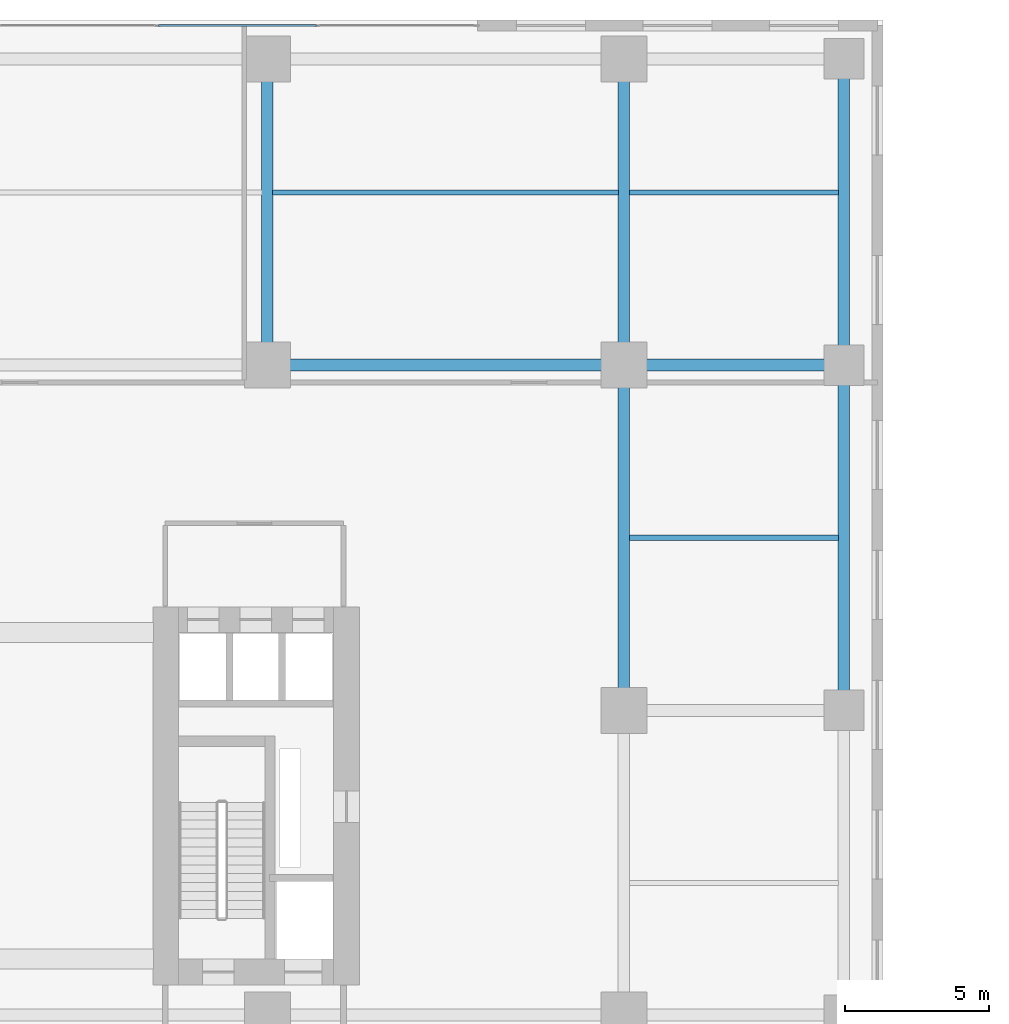
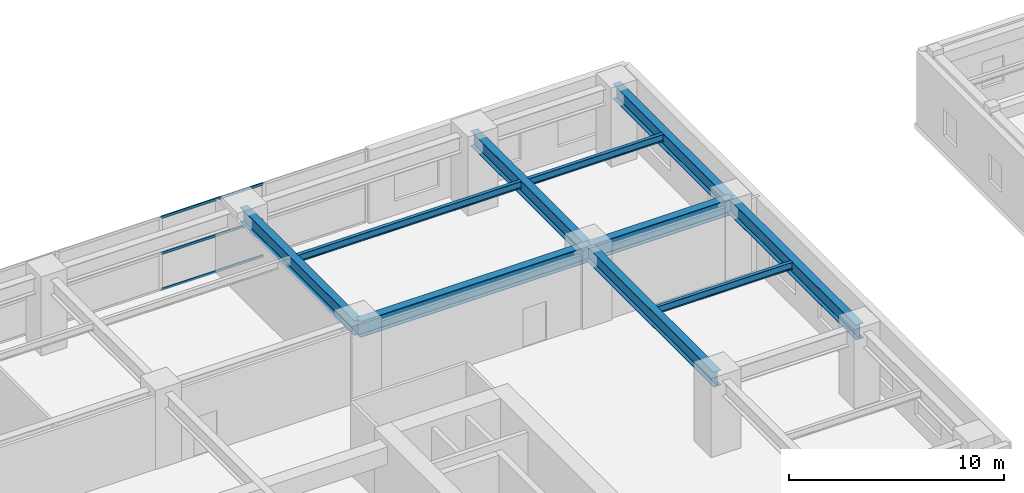
# One storey, part 7 of 26: 10 beams, 3 members, 1 element without a shape of its own.
"""IFC4 building model written with IfcOpenShell, lengths in metres."""

from ifc_helpers import new_model, si_unit, direction, frame, origin, origin_2d, place, context, subcontext, project, spatial, hollow_rectangle, i_section, extrude, source, transform, mapped, material, layer, layer_set, material_profile, profile_set, type_object, element, aggregate, save


model = new_model("IFC4")

# Units and contexts
model_context = context("Model", 3, precision=1e-05, world=origin(), true_north=direction((0.0, 1.0)))
body_context = subcontext(model_context, "Body", "Model", "MODEL_VIEW")
ifc_project = project(units=[si_unit("LENGTHUNIT", "METRE"), si_unit("AREAUNIT", "SQUARE_METRE"), si_unit("VOLUMEUNIT", "CUBIC_METRE"), si_unit("PLANEANGLEUNIT", "RADIAN"), si_unit("MASSUNIT", "GRAM", prefix="KILO")], contexts=[model_context])

# Site, building, storey
site_placement = place(None, origin())
site = spatial("IfcSite", under=ifc_project, at=site_placement, CompositionType="ELEMENT")
building_placement = place(site_placement, origin())
building = spatial("IfcBuilding", under=site, at=building_placement, Name="Khoralis Quay Care Tower", CompositionType="ELEMENT")
storey_placement = place(building_placement, frame((0.0, 0.0, 13.5)))
storey = spatial("IfcBuildingStorey", under=building, at=storey_placement, Name="L03", CompositionType="ELEMENT", Elevation=13.5)

# Beams
ifc_material_1 = material(Name="Steel S355", Category="steel")
ifc_material_profile_1 = material_profile(ifc_material_1, i_section(OverallWidth=0.41796875, OverallDepth=0.912109375, WebThickness=0.019287109375, FlangeThickness=0.031982421875, FilletRadius=0.02392578125, at=origin_2d()), Name="Steel S355")
ifc_profile_set_1 = profile_set([ifc_material_profile_1], Name="Steel S355")
beam_type_1 = type_object("IfcBeamType", Name="BM-W920X342", PredefinedType="BEAM", material=ifc_profile_set_1)
shared_shape_1 = source(origin(), body_context, "Body", "SweptSolid", [
    extrude(i_section(OverallWidth=0.41796875, OverallDepth=0.912109375, WebThickness=0.019287109375, FlangeThickness=0.031982421875, FilletRadius=0.02392578125, at=origin_2d()), origin(), (0.0, 0.0, 1.0), 12.39990234375),
])
beam_1_placement = place(storey_placement, frame((34.60009765625, 36.0, 3.7041015625), z_axis=(1.0, 0.0, 0.0), x_axis=(0.0, 1.0, 0.0)))
element("IfcBeam", 1, at=beam_1_placement, inside=storey, type_object=beam_type_1, Name="BM-PODX-L03-17", PredefinedType="BEAM", context=body_context, shape_type="MappedRepresentation", body=[
    mapped(shared_shape_1, transform((0.0, 0.0, 0.0), scale=1.0)),
])
shared_shape_2 = source(origin(), body_context, "Body", "SweptSolid", [
    extrude(i_section(OverallWidth=0.41796875, OverallDepth=0.912109375, WebThickness=0.019287109375, FlangeThickness=0.031982421875, FilletRadius=0.02392578125, at=origin_2d()), origin(), (0.0, 0.0, 1.0), 7.64990234375),
])
beam_2_placement = place(storey_placement, frame((47.0, 36.0, 3.7041015625), z_axis=(1.0, 0.0, 0.0), x_axis=(0.0, 1.0, 0.0)))
element("IfcBeam", 2, at=beam_2_placement, inside=storey, type_object=beam_type_1, Name="BM-PODX-L03-18", PredefinedType="BEAM", context=body_context, shape_type="MappedRepresentation", body=[
    mapped(shared_shape_2, transform((0.0, 0.0, 0.0), scale=1.0)),
])
ifc_material_profile_2 = material_profile(ifc_material_1, i_section(OverallWidth=0.39990234375, OverallDepth=0.85498046875, WebThickness=0.018310546875, FlangeThickness=0.029296875, FilletRadius=0.02392578125, at=origin_2d()), Name="Steel S355")
ifc_profile_set_2 = profile_set([ifc_material_profile_2], Name="Steel S355")
beam_type_2 = type_object("IfcBeamType", Name="BM-W840X299", PredefinedType="BEAM", material=ifc_profile_set_2)
shared_shape_3 = source(origin(), body_context, "Body", "SweptSolid", [
    extrude(i_section(OverallWidth=0.39990234375, OverallDepth=0.85498046875, WebThickness=0.018310546875, FlangeThickness=0.029296875, FilletRadius=0.02392578125, at=origin_2d()), origin(), (0.0, 0.0, 1.0), 12.0),
])
for number, where, z_axis, x_axis, name in (
    (3, (47.0, 24.0, 3.732421875), (0.0, 1.0, 0.0), (-1.0, 0.0, 0.0), "BM-PODY-L03-42"),
    (4, (54.64990234375, 24.0, 3.732421875), (0.0, 1.0, 0.0), (-1.0, 0.0, 0.0), "BM-PODY-L03-45"),
):
    element("IfcBeam", number, at=place(storey_placement, frame(where, z_axis=z_axis, x_axis=x_axis)), inside=storey, type_object=beam_type_2, Name=name, PredefinedType="BEAM", context=body_context, shape_type="MappedRepresentation", body=[
        mapped(shared_shape_3, transform((0.0, 0.0, 0.0), scale=1.0)),
    ])
shared_shape_4 = source(origin(), body_context, "Body", "SweptSolid", [
    extrude(i_section(OverallWidth=0.39990234375, OverallDepth=0.85498046875, WebThickness=0.018310546875, FlangeThickness=0.029296875, FilletRadius=0.02392578125, at=origin_2d()), origin(), (0.0, 0.0, 1.0), 10.64990234375),
])
for number, where, z_axis, x_axis, name in (
    (5, (34.60009765625, 36.0, 3.732421875), (0.0, 1.0, 0.0), (-1.0, 0.0, 0.0), "BM-PODY-L03-39"),
    (6, (47.0, 36.0, 3.732421875), (0.0, 1.0, 0.0), (-1.0, 0.0, 0.0), "BM-PODY-L03-43"),
    (7, (54.64990234375, 36.0, 3.732421875), (0.0, 1.0, 0.0), (-1.0, 0.0, 0.0), "BM-PODY-L03-46"),
):
    element("IfcBeam", number, at=place(storey_placement, frame(where, z_axis=z_axis, x_axis=x_axis)), inside=storey, type_object=beam_type_2, Name=name, PredefinedType="BEAM", context=body_context, shape_type="MappedRepresentation", body=[
        mapped(shared_shape_4, transform((0.0, 0.0, 0.0), scale=1.0)),
    ])
ifc_material_profile_3 = material_profile(ifc_material_1, i_section(OverallWidth=0.177978515625, OverallDepth=0.406982421875, WebThickness=0.0078125, FlangeThickness=0.0126953125, FilletRadius=0.012939453125, at=origin_2d()), Name="Steel S355")
ifc_profile_set_3 = profile_set([ifc_material_profile_3], Name="Steel S355")
beam_type_3 = type_object("IfcBeamType", Name="BM-W410X60", PredefinedType="JOIST", material=ifc_profile_set_3)
shared_shape_5 = source(origin(), body_context, "Body", "SweptSolid", [
    extrude(i_section(OverallWidth=0.177978515625, OverallDepth=0.406982421875, WebThickness=0.0078125, FlangeThickness=0.0126953125, FilletRadius=0.012939453125, at=origin_2d()), origin(), (0.0, 0.0, 1.0), 12.02392578125),
])
beam_3_placement = place(storey_placement, frame((34.7880859375, 42.0, 3.95654296875), z_axis=(1.0, 0.0, 0.0), x_axis=(0.0, 1.0, 0.0)))
element("IfcBeam", 8, at=beam_3_placement, inside=storey, type_object=beam_type_3, Name="BM-PODJ-L03-58", PredefinedType="JOIST", context=body_context, shape_type="MappedRepresentation", body=[
    mapped(shared_shape_5, transform((0.0, 0.0, 0.0), scale=1.0)),
])
shared_shape_6 = source(origin(), body_context, "Body", "SweptSolid", [
    extrude(i_section(OverallWidth=0.177978515625, OverallDepth=0.406982421875, WebThickness=0.0078125, FlangeThickness=0.0126953125, FilletRadius=0.012939453125, at=origin_2d()), origin(), (0.0, 0.0, 1.0), 7.27392578125),
])
for number, where, z_axis, x_axis, name in (
    (9, (47.18798828125, 30.0, 3.95654296875), (1.0, 0.0, 0.0), (0.0, 1.0, 0.0), "BM-PODJ-L03-54"),
    (10, (47.18798828125, 42.0, 3.95654296875), (1.0, 0.0, 0.0), (0.0, 1.0, 0.0), "BM-PODJ-L03-59"),
):
    element("IfcBeam", number, at=place(storey_placement, frame(where, z_axis=z_axis, x_axis=x_axis)), inside=storey, type_object=beam_type_3, Name=name, PredefinedType="JOIST", context=body_context, shape_type="MappedRepresentation", body=[
        mapped(shared_shape_6, transform((0.0, 0.0, 0.0), scale=1.0)),
    ])

# Curtain wall, members
ifc_material_2 = material(Name="Pale anodised aluminium", Category="aluminium")
ifc_layer = layer(ifc_material_2, 0.179931640625)
ifc_layer_set = layer_set([ifc_layer], Name="Pale anodised aluminium")
curtain_wall_type = type_object("IfcCurtainWallType", Name="CW-SYS-Z1", PredefinedType="NOTDEFINED", material=ifc_layer_set)
curtain_wall_placement = place(storey_placement, origin())
curtain_wall = element("IfcCurtainWall", 11, at=curtain_wall_placement, inside=storey, type_object=curtain_wall_type, Name="L03 Unitised Curtain Wall CW-POD-L03-E4", PredefinedType="NOTDEFINED")
ifc_material_profile_4 = material_profile(ifc_material_2, hollow_rectangle(XDim=0.06005859375, YDim=0.139892578125, WallThickness=0.00390625, at=origin_2d()), Name="Pale anodised aluminium")
ifc_profile_set_4 = profile_set([ifc_material_profile_4], Name="Pale anodised aluminium")
member_type = type_object("IfcMemberType", Name="CW-TRN-140", PredefinedType="USERDEFINED", material=ifc_profile_set_4)
shared_shape_7 = source(origin(), body_context, "Body", "SweptSolid", [
    extrude(hollow_rectangle(XDim=0.06005859375, YDim=0.139892578125, WallThickness=0.00390625, at=origin_2d()), origin(), (0.0, 0.0, 1.0), 5.501953125),
])
member_1_placement = place(storey_placement, frame((36.31298828125, 47.81005859375, 0.030029296875), z_axis=(-1.0, 0.0, 0.0), x_axis=(0.0, -1.0, 0.0)))
member_1 = element("IfcMember", 12, at=member_1_placement, type_object=member_type, Name="CW1 transom 2.1", ObjectType="TRANSOM", PredefinedType="USERDEFINED", context=body_context, shape_type="MappedRepresentation", body=[
    mapped(shared_shape_7, transform((0.0, 0.0, 0.0), scale=1.0)),
])
member_2_placement = place(storey_placement, frame((36.31298828125, 47.81005859375, 2.080078125), z_axis=(-1.0, 0.0, 0.0), x_axis=(0.0, -1.0, 0.0)))
member_2 = element("IfcMember", 13, at=member_2_placement, type_object=member_type, Name="CW1 transom 2.2", ObjectType="TRANSOM", PredefinedType="USERDEFINED", context=body_context, shape_type="MappedRepresentation", body=[
    mapped(shared_shape_7, transform((0.0, 0.0, 0.0), scale=1.0)),
])
member_3_placement = place(storey_placement, frame((36.31298828125, 47.81005859375, 4.1298828125), z_axis=(-1.0, 0.0, 0.0), x_axis=(0.0, -1.0, 0.0)))
member_3 = element("IfcMember", 14, at=member_3_placement, type_object=member_type, Name="CW1 transom 2.3", ObjectType="TRANSOM", PredefinedType="USERDEFINED", context=body_context, shape_type="MappedRepresentation", body=[
    mapped(shared_shape_7, transform((0.0, 0.0, 0.0), scale=1.0)),
])
aggregate(curtain_wall, [member_1, member_2, member_3])

save(model, "model.ifc")
